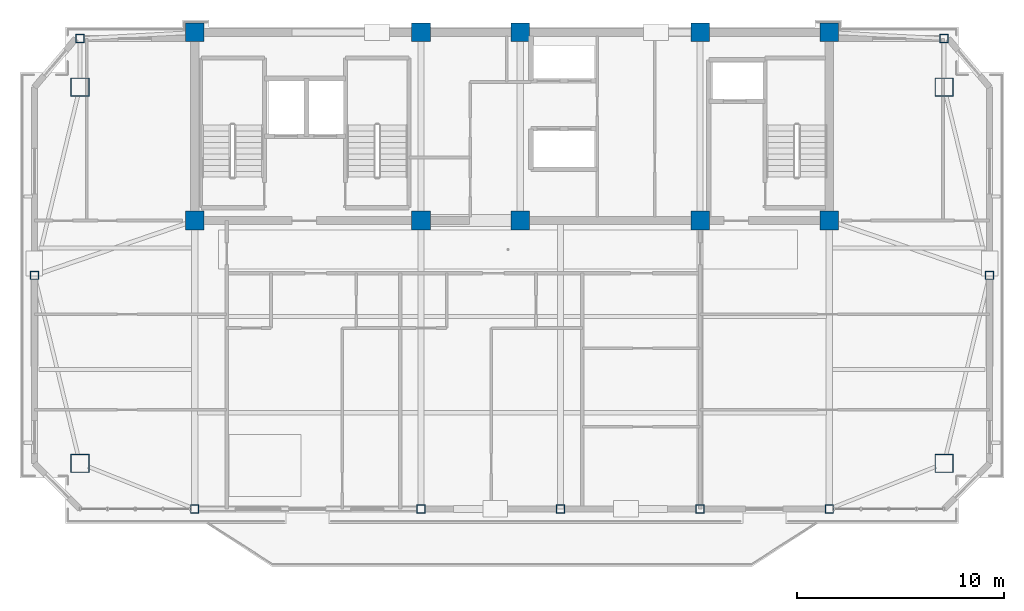
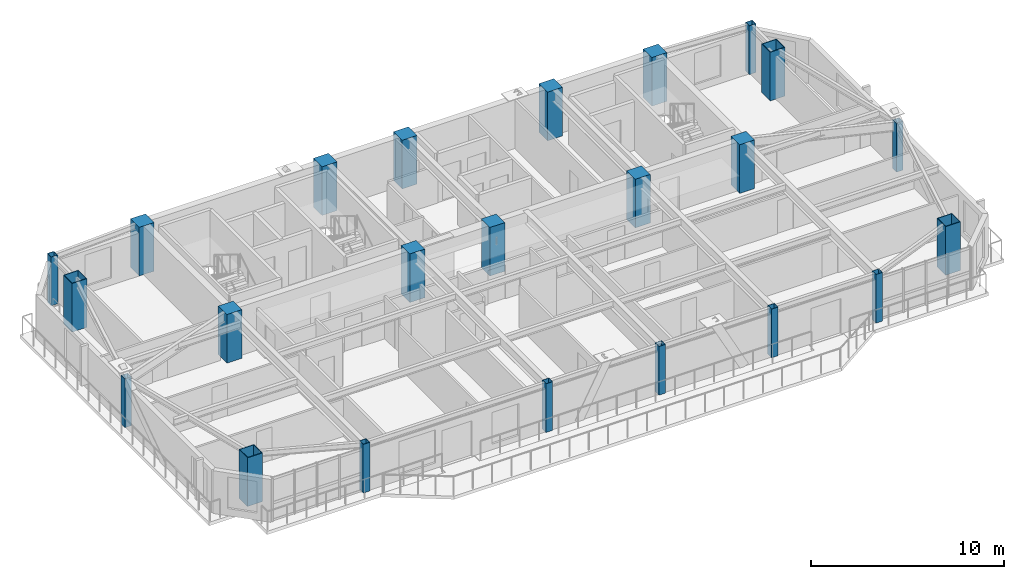
# One storey, part 1 of 13: 23 columns.
"""IFC4 building model written with IfcOpenShell, lengths in metres."""

from ifc_helpers import new_model, si_unit, direction, frame, origin, origin_2d, place, context, subcontext, project, spatial, rectangle, hollow_rectangle, extrude, source, transform, mapped, material, material_profile, profile_set, type_object, element, save


model = new_model("IFC4")

# Units and contexts
model_context = context("Model", 3, precision=1e-05, world=origin(), true_north=direction((0.0, 1.0)))
body_context = subcontext(model_context, "Body", "Model", "MODEL_VIEW")
ifc_project = project(units=[si_unit("LENGTHUNIT", "METRE"), si_unit("AREAUNIT", "SQUARE_METRE"), si_unit("VOLUMEUNIT", "CUBIC_METRE"), si_unit("PLANEANGLEUNIT", "RADIAN"), si_unit("MASSUNIT", "GRAM", prefix="KILO")], contexts=[model_context])

# Site, building, storey
site_placement = place(None, origin())
site = spatial("IfcSite", under=ifc_project, at=site_placement, CompositionType="ELEMENT")
building_placement = place(site_placement, origin())
building = spatial("IfcBuilding", under=site, at=building_placement, Name="Giltprow Tower", CompositionType="ELEMENT")
storey_placement = place(building_placement, frame((0.0, 0.0, 349.300048828125)))
storey = spatial("IfcBuildingStorey", under=building, at=storey_placement, Name="L91", CompositionType="ELEMENT", Elevation=349.300048828125)

# Columns
ifc_material_1 = material(Name="Concrete C45", Category="concrete")
ifc_material_profile_1 = material_profile(ifc_material_1, rectangle(XDim=0.89990234375, YDim=0.89990234375, at=origin_2d()), Name="RC 900x900")
ifc_profile_set_1 = profile_set([ifc_material_profile_1], Name="Concrete C45")
column_type_1 = type_object("IfcColumnType", Name="PIL-RC-900-C45", PredefinedType="PILASTER", material=ifc_profile_set_1)
shared_shape_1 = source(origin(), body_context, "Body", "SweptSolid", [
    extrude(rectangle(XDim=0.89990234375, YDim=0.89990234375, at=origin_2d()), origin(), (0.0, 0.0, 1.0), 3.079833984375),
])
for number, where, z_axis, x_axis, name in (
    (1, (19.85009765625, 37.449951171875, 0.0), (0.0, 0.0, 1.0), (1.0, 0.0, 0.0), "L91 Core Boundary Pilaster 1-1"),
    (2, (19.85009765625, 46.550048828125, 0.0), (0.0, 0.0, 1.0), (1.0, 0.0, 0.0), "L91 Core Boundary Pilaster 1-2"),
    (3, (30.800048828125, 37.449951171875, 0.0), (0.0, 0.0, 1.0), (1.0, 0.0, 0.0), "L91 Core Boundary Pilaster 2-1"),
    (4, (30.800048828125, 46.550048828125, 0.0), (0.0, 0.0, 1.0), (1.0, 0.0, 0.0), "L91 Core Boundary Pilaster 2-2"),
    (5, (35.60009765625, 37.449951171875, 0.0), (0.0, 0.0, 1.0), (1.0, 0.0, 0.0), "L91 Core Boundary Pilaster 3-1"),
    (6, (35.60009765625, 46.550048828125, 0.0), (0.0, 0.0, 1.0), (1.0, 0.0, 0.0), "L91 Core Boundary Pilaster 3-2"),
    (7, (44.300048828125, 37.449951171875, 0.0), (0.0, 0.0, 1.0), (1.0, 0.0, 0.0), "L91 Core Boundary Pilaster 4-1"),
    (8, (44.300048828125, 46.550048828125, 0.0), (0.0, 0.0, 1.0), (1.0, 0.0, 0.0), "L91 Core Boundary Pilaster 4-2"),
    (9, (50.550048828125, 37.449951171875, 0.0), (0.0, 0.0, 1.0), (1.0, 0.0, 0.0), "L91 Core Boundary Pilaster 5-1"),
    (10, (50.550048828125, 46.550048828125, 0.0), (0.0, 0.0, 1.0), (1.0, 0.0, 0.0), "L91 Core Boundary Pilaster 5-2"),
):
    element("IfcColumn", number, at=place(storey_placement, frame(where, z_axis=z_axis, x_axis=x_axis)), inside=storey, type_object=column_type_1, Name=name, PredefinedType="PILASTER", context=body_context, shape_type="MappedRepresentation", body=[
        mapped(shared_shape_1, transform((0.0, 0.0, 0.0), x_axis=(1.0, 0.0, 0.0), y_axis=(0.0, 1.0, 0.0), z_axis=(0.0, 0.0, 1.0), scale=1.0)),
    ])
ifc_material_2 = material(Name="Structural steel Q420GJC", Category="steel")
ifc_material_profile_2 = material_profile(ifc_material_2, hollow_rectangle(XDim=0.89990234375, YDim=0.89990234375, WallThickness=0.0400390625, at=origin_2d()), Name="BOX 900x900x40")
ifc_profile_set_2 = profile_set([ifc_material_profile_2], Name="Structural steel Q420GJC")
column_type_2 = type_object("IfcColumnType", Name="COL-BOX-900x900x40", PredefinedType="COLUMN", material=ifc_profile_set_2)
shared_shape_2 = source(origin(), body_context, "Body", "SweptSolid", [
    extrude(hollow_rectangle(XDim=0.89990234375, YDim=0.89990234375, WallThickness=0.0400390625, at=origin_2d()), origin(), (0.0, 0.0, 1.0), 3.079833984375),
])
for number, where, z_axis, x_axis, name in (
    (11, (14.300048828125, 25.699951171875, 0.0), (0.0, 0.0, 1.0), (1.0, 0.0, 0.0), "L91 Mega-Column MC_SW"),
    (12, (56.10009765625, 25.699951171875, 0.0), (0.0, 0.0, 1.0), (1.0, 0.0, 0.0), "L91 Mega-Column MC_SE"),
    (13, (14.300048828125, 43.89990234375, 0.0), (0.0, 0.0, 1.0), (1.0, 0.0, 0.0), "L91 Mega-Column MC_NW"),
    (14, (56.10009765625, 43.89990234375, 0.0), (0.0, 0.0, 1.0), (1.0, 0.0, 0.0), "L91 Mega-Column MC_NE"),
):
    element("IfcColumn", number, at=place(storey_placement, frame(where, z_axis=z_axis, x_axis=x_axis)), inside=storey, type_object=column_type_2, Name=name, PredefinedType="COLUMN", context=body_context, shape_type="MappedRepresentation", body=[
        mapped(shared_shape_2, transform((0.0, 0.0, 0.0), x_axis=(1.0, 0.0, 0.0), y_axis=(0.0, 1.0, 0.0), z_axis=(0.0, 0.0, 1.0), scale=1.0)),
    ])
ifc_material_3 = material(Name="Structural steel Q355B", Category="steel")
ifc_material_profile_3 = material_profile(ifc_material_3, hollow_rectangle(XDim=0.39990234375, YDim=0.39990234375, WallThickness=0.02001953125, at=origin_2d()), Name="BOX 400x400x20")
ifc_profile_set_3 = profile_set([ifc_material_profile_3], Name="Structural steel Q355B")
column_type_3 = type_object("IfcColumnType", Name="COL-BOX-400x400x20", PredefinedType="COLUMN", material=ifc_profile_set_3)
shared_shape_3 = source(origin(), body_context, "Body", "SweptSolid", [
    extrude(hollow_rectangle(XDim=0.39990234375, YDim=0.39990234375, WallThickness=0.02001953125, at=origin_2d()), origin(), (0.0, 0.0, 1.0), 3.079833984375),
])
for number, where, z_axis, x_axis, name in (
    (15, (19.85009765625, 23.5, 0.0), (0.0, 0.0, 1.0), (1.0, 0.0, 0.0), "L91 Perimeter Column S1"),
    (16, (30.800048828125, 23.5, 0.0), (0.0, 0.0, 1.0), (1.0, 0.0, 0.0), "L91 Perimeter Column S2"),
    (17, (37.550048828125, 23.5, 0.0), (0.0, 0.0, 1.0), (1.0, 0.0, 0.0), "L91 Perimeter Column S_MID"),
    (18, (44.300048828125, 23.5, 0.0), (0.0, 0.0, 1.0), (1.0, 0.0, 0.0), "L91 Perimeter Column S3"),
    (19, (50.550048828125, 23.5, 0.0), (0.0, 0.0, 1.0), (1.0, 0.0, 0.0), "L91 Perimeter Column S4"),
    (20, (12.10009765625, 34.800048828125, 0.0), (0.0, 0.0, 1.0), (1.0, 0.0, 0.0), "L91 Perimeter Column W_MID"),
    (21, (58.300048828125, 34.800048828125, 0.0), (0.0, 0.0, 1.0), (1.0, 0.0, 0.0), "L91 Perimeter Column E_MID"),
    (22, (14.300048828125, 46.25, 0.0), (0.0, 0.0, 1.0), (1.0, 0.0, 0.0), "L91 Perimeter Column N_W"),
    (23, (56.10009765625, 46.25, 0.0), (0.0, 0.0, 1.0), (1.0, 0.0, 0.0), "L91 Perimeter Column N_E"),
):
    element("IfcColumn", number, at=place(storey_placement, frame(where, z_axis=z_axis, x_axis=x_axis)), inside=storey, type_object=column_type_3, Name=name, PredefinedType="COLUMN", context=body_context, shape_type="MappedRepresentation", body=[
        mapped(shared_shape_3, transform((0.0, 0.0, 0.0), x_axis=(1.0, 0.0, 0.0), y_axis=(0.0, 1.0, 0.0), z_axis=(0.0, 0.0, 1.0), scale=1.0)),
    ])

save(model, "model.ifc")
